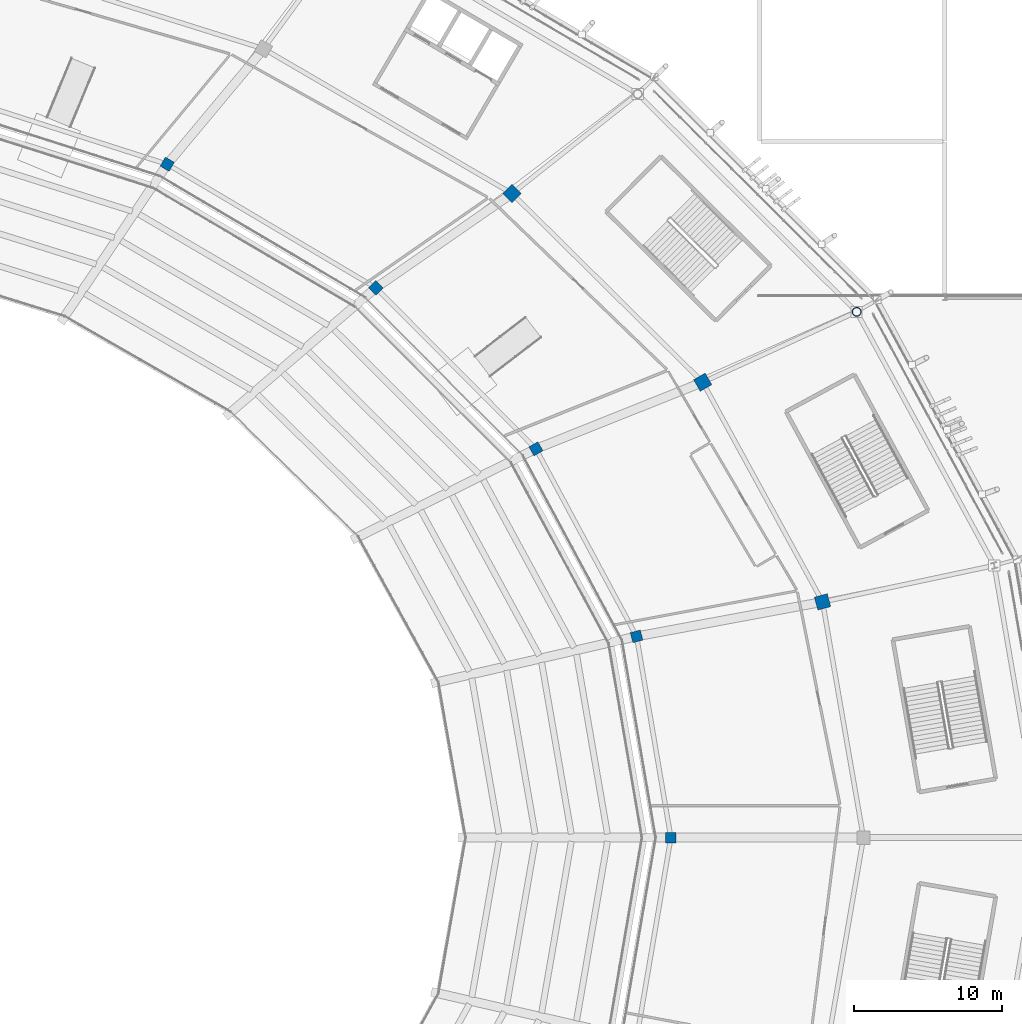
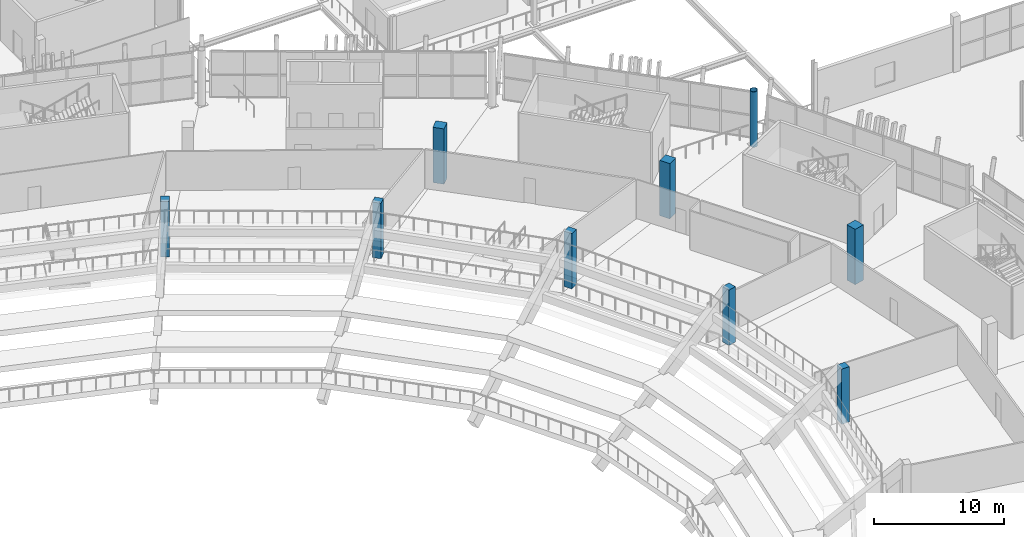
# One storey, part 15 of 178: 9 columns.
"""IFC4 building model written with IfcOpenShell, lengths in metres."""

from ifc_helpers import new_model, si_unit, direction, frame, origin, origin_2d, place, context, subcontext, project, spatial, rectangle, hollow_circle, extrude, material, material_profile, profile_set, type_object, element, save


model = new_model("IFC4")

# Units and contexts
model_context = context("Model", 3, precision=1e-05, world=origin(), true_north=direction((0.0, 1.0)))
body_context = subcontext(model_context, "Body", "Model", "MODEL_VIEW")
ifc_project = project(units=[si_unit("LENGTHUNIT", "METRE"), si_unit("AREAUNIT", "SQUARE_METRE"), si_unit("VOLUMEUNIT", "CUBIC_METRE"), si_unit("PLANEANGLEUNIT", "RADIAN"), si_unit("MASSUNIT", "GRAM", prefix="KILO")], contexts=[model_context])

# Site, building, storey
site_placement = place(None, origin())
site = spatial("IfcSite", under=ifc_project, at=site_placement, CompositionType="ELEMENT")
building_placement = place(site_placement, origin())
building = spatial("IfcBuilding", under=site, at=building_placement, Name="Zlatoyarsky Gate Stadium", CompositionType="ELEMENT")
storey_placement = place(building_placement, frame((0.0, 0.0, 5.39990234375)))
storey = spatial("IfcBuildingStorey", under=building, at=storey_placement, Name="L01", CompositionType="ELEMENT", Elevation=5.39990234375)

# Columns
ifc_material_1 = material(Name="Concrete C40/50", Category="concrete")
ifc_material_profile_1 = material_profile(ifc_material_1, rectangle(XDim=0.699951171875, YDim=0.699951171875, at=origin_2d()), Name="RC COL 700X700")
ifc_profile_set_1 = profile_set([ifc_material_profile_1], Name="Concrete C40/50")
column_type_1 = type_object("IfcColumnType", Name="CONCRETE COLUMN 700X700", PredefinedType="COLUMN", material=ifc_profile_set_1)
for number, where, z_axis, x_axis, name in (
    (1, (179.0, 80.0, 0.0), (0.0, 0.0, 1.0), (1.0, 0.0, 0.0), "Column RC-C70 RA-00 on L01"),
    (2, (176.68310546875, 93.587890625, 0.0), (0.0, 0.0, 1.0), (0.965925826289, 0.258819045103, 0.0), "Column RC-C70 RA-01 on L01"),
    (3, (169.8896484375, 106.25, 0.0), (0.0, 0.0, 1.0), (0.866025403784, 0.5, 0.0), "Column RC-C70 RA-02 on L01"),
    (4, (159.083251953125, 117.123046875, 0.0), (0.0, 0.0, 1.0), (0.707106781187, 0.707106781187, 0.0), "Column RC-C70 RA-03 on L01"),
    (5, (145.0, 125.46630859375, 0.0), (0.0, 0.0, 1.0), (0.5, 0.866025403784, 0.0), "Column RC-C70 RA-04 on L01"),
):
    element("IfcColumn", number, at=place(storey_placement, frame(where, z_axis=z_axis, x_axis=x_axis)), inside=storey, type_object=column_type_1, Name=name, PredefinedType="COLUMN", context=body_context, shape_type="SweptSolid", body=[
        extrude(rectangle(XDim=0.699951171875, YDim=0.699951171875, at=origin_2d()), origin(), (0.0, 0.0, 1.0), 5.2001953125),
    ])
ifc_material_profile_2 = material_profile(ifc_material_1, rectangle(XDim=0.89990234375, YDim=0.89990234375, at=origin_2d()), Name="RC COL 900X900")
ifc_profile_set_2 = profile_set([ifc_material_profile_2], Name="Concrete C40/50")
column_type_2 = type_object("IfcColumnType", Name="CONCRETE COLUMN 900X900", PredefinedType="COLUMN", material=ifc_profile_set_2)
for number, where, z_axis, x_axis, name in (
    (6, (189.239990234375, 95.91748046875, 0.0), (0.0, 0.0, 1.0), (0.965925826289, 0.258819045103, 0.0), "Column RC-C90 RB-01 on L01"),
    (7, (181.148193359375, 110.75, 0.0), (0.0, 0.0, 1.0), (0.866025403784, 0.5, 0.0), "Column RC-C90 RB-02 on L01"),
    (8, (168.275634765625, 123.487060546875, 0.0), (0.0, 0.0, 1.0), (0.707106781187, 0.707106781187, 0.0), "Column RC-C90 RB-03 on L01"),
):
    element("IfcColumn", number, at=place(storey_placement, frame(where, z_axis=z_axis, x_axis=x_axis)), inside=storey, type_object=column_type_2, Name=name, PredefinedType="COLUMN", context=body_context, shape_type="SweptSolid", body=[
        extrude(rectangle(XDim=0.89990234375, YDim=0.89990234375, at=origin_2d()), origin(), (0.0, 0.0, 1.0), 5.2001953125),
    ])
ifc_material_2 = material(Name="Steel S355", Category="steel")
ifc_material_profile_3 = material_profile(ifc_material_2, hollow_circle(Radius=0.304931640625, WallThickness=0.030029296875, at=origin_2d()), Name="CHS 610X30")
ifc_profile_set_3 = profile_set([ifc_material_profile_3], Name="Steel S355")
column_type_3 = type_object("IfcColumnType", Name="STEEL TUBULAR COLUMN CHS 610X30", PredefinedType="COLUMN", material=ifc_profile_set_3)
column_placement = place(storey_placement, frame((191.540283203125, 115.5, 0.0), z_axis=(0.0, 0.0, 1.0), x_axis=(0.866025403784, 0.5, 0.0)))
element("IfcColumn", 9, at=column_placement, inside=storey, type_object=column_type_3, Name="Column ST-C610 RC-02 on L01", PredefinedType="COLUMN", context=body_context, shape_type="SweptSolid", body=[
    extrude(hollow_circle(Radius=0.304931640625, WallThickness=0.030029296875, at=origin_2d()), origin(), (0.0, 0.0, 1.0), 5.2001953125),
])

save(model, "model.ifc")
